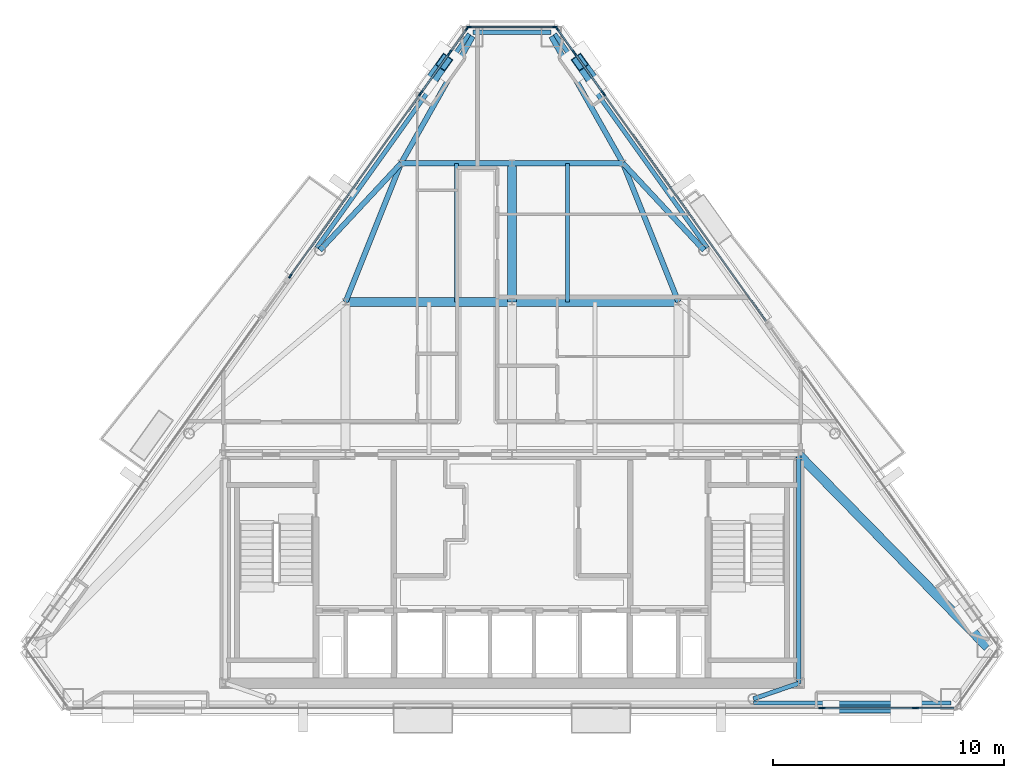
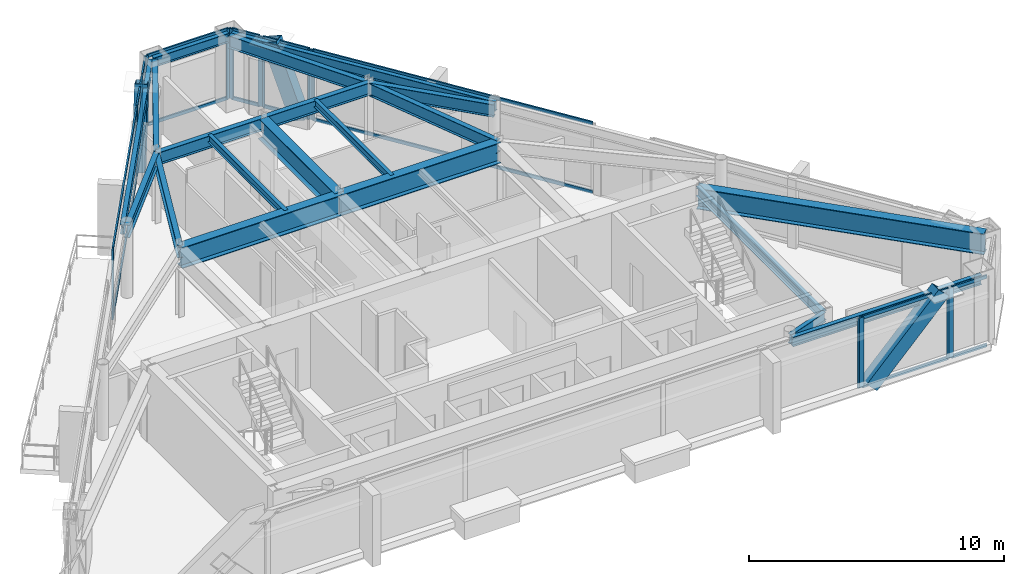
# One storey, part 5 of 12: 38 members, 20 beams, 10 elements without a shape of their own.
"""IFC4 building model written with IfcOpenShell, lengths in metres."""

from ifc_helpers import new_model, si_unit, direction, frame, origin, origin_2d, place, context, subcontext, project, spatial, rectangle, hollow_rectangle, i_section, extrude, material, layer, layer_set, material_profile, profile_set, type_object, element, aggregate, save


model = new_model("IFC4")

# Units and contexts
model_context = context("Model", 3, precision=1e-05, world=origin(), true_north=direction((0.0, 1.0)))
body_context = subcontext(model_context, "Body", "Model", "MODEL_VIEW")
ifc_project = project(units=[si_unit("LENGTHUNIT", "METRE"), si_unit("AREAUNIT", "SQUARE_METRE"), si_unit("VOLUMEUNIT", "CUBIC_METRE"), si_unit("PLANEANGLEUNIT", "RADIAN"), si_unit("MASSUNIT", "GRAM", prefix="KILO")], contexts=[model_context])

# Site, building, storey
site_placement = place(None, origin())
site = spatial("IfcSite", under=ifc_project, at=site_placement, CompositionType="ELEMENT")
building_placement = place(site_placement, origin())
building = spatial("IfcBuilding", under=site, at=building_placement, Name="Talgorran Terracotta Tower", CompositionType="ELEMENT")
storey_placement = place(building_placement, frame((0.0, 0.0, 277.800048828125)))
storey = spatial("IfcBuildingStorey", under=building, at=storey_placement, Name="L73", CompositionType="ELEMENT", Elevation=277.800048828125)

# Beams
ifc_material_1 = material(Name="Steel Grade 350 (350L0)", Category="steel")
ifc_material_profile_1 = material_profile(ifc_material_1, i_section(OverallWidth=0.39990234375, OverallDepth=1.0, WebThickness=0.01611328125, FlangeThickness=0.031005859375, at=origin_2d()), Name="1000WB296")
ifc_profile_set_1 = profile_set([ifc_material_profile_1], Name="Steel Grade 350 (350L0)")
beam_type_1 = type_object("IfcBeamType", Name="BM_1000WB296", PredefinedType="BEAM", material=ifc_profile_set_1)
for number, where, z_axis, x_axis, name in (
    (1, (-7.199951171875, 2.39990234375, 2.844970703125), (1.0, 0.0, 0.0), (0.0, 1.0, 0.0), "L73 Floor Girder G04"),
    (2, (0.0, 2.39990234375, 2.844970703125), (1.0, 0.0, 0.0), (0.0, 1.0, 0.0), "L73 Floor Girder G05"),
):
    element("IfcBeam", number, at=place(storey_placement, frame(where, z_axis=z_axis, x_axis=x_axis)), inside=storey, type_object=beam_type_1, Name=name, PredefinedType="BEAM", context=body_context, shape_type="SweptSolid", body=[
        extrude(i_section(OverallWidth=0.39990234375, OverallDepth=1.0, WebThickness=0.01611328125, FlangeThickness=0.031005859375, at=origin_2d()), origin(), (0.0, 0.0, 1.0), 7.199951171875),
    ])
beam_1_placement = place(storey_placement, frame((0.0, 2.39990234375, 2.844970703125), z_axis=(0.0, 1.0, 0.0), x_axis=(-1.0, 0.0, 0.0)))
element("IfcBeam", 3, at=beam_1_placement, inside=storey, type_object=beam_type_1, Name="L73 Floor Girder G09", PredefinedType="BEAM", context=body_context, shape_type="SweptSolid", body=[
    extrude(i_section(OverallWidth=0.39990234375, OverallDepth=1.0, WebThickness=0.01611328125, FlangeThickness=0.031005859375, at=origin_2d()), origin(), (0.0, 0.0, 1.0), 6.0),
])
beam_2_placement = place(storey_placement, frame((12.39990234375, -4.199951171875, 2.844970703125), z_axis=(0.700061173466, -0.714082875726, 0.0), x_axis=(0.714082875726, 0.700061173466, 0.0)))
element("IfcBeam", 4, at=beam_2_placement, inside=storey, type_object=beam_type_1, Name="L73 Floor Girder G18", PredefinedType="BEAM", context=body_context, shape_type="SweptSolid", body=[
    extrude(i_section(OverallWidth=0.39990234375, OverallDepth=1.0, WebThickness=0.01611328125, FlangeThickness=0.031005859375, at=origin_2d()), origin(), (0.0, 0.0, 1.0), 11.68310546875),
])
ifc_material_2 = material(Name="Steel S355 (300PLUS)", Category="steel")
ifc_material_profile_2 = material_profile(ifc_material_2, i_section(OverallWidth=0.22802734375, OverallDepth=0.60205078125, WebThickness=0.010498046875, FlangeThickness=0.014892578125, at=origin_2d()), Name="610UB101")
ifc_profile_set_2 = profile_set([ifc_material_profile_2], Name="Steel S355 (300PLUS)")
beam_type_2 = type_object("IfcBeamType", Name="BM_610UB101", PredefinedType="BEAM", material=ifc_profile_set_2)
for number, where, z_axis, x_axis, name in (
    (5, (-7.199951171875, 2.39990234375, 3.0439453125), (0.371377648723, 0.928481901832, 0.0), (-0.928481901832, 0.371377648723, 0.0), "L73 Floor Girder G08"),
    (6, (7.199951171875, 2.39990234375, 3.0439453125), (-0.371377648723, 0.928481901832, 0.0), (-0.928481901832, -0.371377648723, 0.0), "L73 Floor Girder G10"),
):
    element("IfcBeam", number, at=place(storey_placement, frame(where, z_axis=z_axis, x_axis=x_axis)), inside=storey, type_object=beam_type_2, Name=name, PredefinedType="BEAM", context=body_context, shape_type="SweptSolid", body=[
        extrude(i_section(OverallWidth=0.22802734375, OverallDepth=0.60205078125, WebThickness=0.010498046875, FlangeThickness=0.014892578125, at=origin_2d()), origin(), (0.0, 0.0, 1.0), 6.462158203125),
    ])
for number, where, z_axis, x_axis, name in (
    (7, (-4.800048828125, 8.39990234375, 3.0439453125), (1.0, 0.0, 0.0), (0.0, 1.0, 0.0), "L73 Floor Girder G11"),
    (8, (0.0, 8.39990234375, 3.0439453125), (1.0, 0.0, 0.0), (0.0, 1.0, 0.0), "L73 Floor Girder G12"),
):
    element("IfcBeam", number, at=place(storey_placement, frame(where, z_axis=z_axis, x_axis=x_axis)), inside=storey, type_object=beam_type_2, Name=name, PredefinedType="BEAM", context=body_context, shape_type="SweptSolid", body=[
        extrude(i_section(OverallWidth=0.22802734375, OverallDepth=0.60205078125, WebThickness=0.010498046875, FlangeThickness=0.014892578125, at=origin_2d()), origin(), (0.0, 0.0, 1.0), 4.800048828125),
    ])
for number, where, z_axis, x_axis, name in (
    (9, (-4.800048828125, 8.39990234375, 3.0439453125), (-0.681815691215, -0.731524000435, 0.0), (0.731524000435, -0.681815691215, 0.0), "L73 Floor Girder G13"),
    (10, (4.800048828125, 8.39990234375, 3.0439453125), (0.681815691215, -0.731524000435, 0.0), (0.731524000435, 0.681815691215, 0.0), "L73 Floor Girder G14"),
):
    element("IfcBeam", number, at=place(storey_placement, frame(where, z_axis=z_axis, x_axis=x_axis)), inside=storey, type_object=beam_type_2, Name=name, PredefinedType="BEAM", context=body_context, shape_type="SweptSolid", body=[
        extrude(i_section(OverallWidth=0.22802734375, OverallDepth=0.60205078125, WebThickness=0.010498046875, FlangeThickness=0.014892578125, at=origin_2d()), origin(), (0.0, 0.0, 1.0), 5.142333984375),
    ])
for number, where, z_axis, x_axis, name in (
    (11, (-4.800048828125, 8.39990234375, 3.0439453125), (0.491971771533, 0.870611150867, 0.0), (-0.870611150867, 0.491971771533, 0.0), "L73 Floor Girder G15"),
    (12, (4.800048828125, 8.39990234375, 3.0439453125), (-0.491971771533, 0.870611150867, 0.0), (-0.870611150867, -0.491971771533, 0.0), "L73 Floor Girder G16"),
):
    element("IfcBeam", number, at=place(storey_placement, frame(where, z_axis=z_axis, x_axis=x_axis)), inside=storey, type_object=beam_type_2, Name=name, PredefinedType="BEAM", context=body_context, shape_type="SweptSolid", body=[
        extrude(i_section(OverallWidth=0.22802734375, OverallDepth=0.60205078125, WebThickness=0.010498046875, FlangeThickness=0.014892578125, at=origin_2d()), origin(), (0.0, 0.0, 1.0), 6.305419921875),
    ])
ifc_material_profile_3 = material_profile(ifc_material_2, i_section(OverallWidth=0.17138671875, OverallDepth=0.355712890625, WebThickness=0.00732421875, FlangeThickness=0.011474609375, at=origin_2d()), Name="360UB50.7")
ifc_profile_set_3 = profile_set([ifc_material_profile_3], Name="Steel S355 (300PLUS)")
beam_type_3 = type_object("IfcBeamType", Name="BM_JS_360UB51", PredefinedType="JOIST", material=ifc_profile_set_3)
for number, where, z_axis, x_axis, name in (
    (13, (-2.39990234375, 2.39990234375, 3.167236328125), (0.0, 1.0, 0.0), (-1.0, 0.0, 0.0), "L73 Secondary Joist J03"),
    (14, (2.39990234375, 2.39990234375, 3.167236328125), (0.0, 1.0, 0.0), (-1.0, 0.0, 0.0), "L73 Secondary Joist J04"),
):
    element("IfcBeam", number, at=place(storey_placement, frame(where, z_axis=z_axis, x_axis=x_axis)), inside=storey, type_object=beam_type_3, Name=name, PredefinedType="JOIST", context=body_context, shape_type="SweptSolid", body=[
        extrude(i_section(OverallWidth=0.17138671875, OverallDepth=0.355712890625, WebThickness=0.00732421875, FlangeThickness=0.011474609375, at=origin_2d()), origin(), (0.0, 0.0, 1.0), 6.0),
    ])
ifc_material_profile_4 = material_profile(ifc_material_2, i_section(OverallWidth=0.18994140625, OverallDepth=0.45703125, WebThickness=0.009033203125, FlangeThickness=0.014404296875, at=origin_2d()), Name="460UB74.6")
ifc_profile_set_4 = profile_set([ifc_material_profile_4], Name="Steel S355 (300PLUS)")
beam_type_4 = type_object("IfcBeamType", Name="BM_SP_460UB74", PredefinedType="SPANDREL", material=ifc_profile_set_4)
beam_3_placement = place(storey_placement, frame((10.441650390625, -14.954345703125, 3.116455078125), z_axis=(1.0, 0.0, 0.0), x_axis=(0.0, 1.0, 0.0)))
element("IfcBeam", 15, at=beam_3_placement, inside=storey, type_object=beam_type_4, Name="L73 Perimeter Spandrel Beam FC2-MC3", PredefinedType="SPANDREL", context=body_context, shape_type="SweptSolid", body=[
    extrude(i_section(OverallWidth=0.18994140625, OverallDepth=0.45703125, WebThickness=0.009033203125, FlangeThickness=0.014404296875, at=origin_2d()), origin(), (0.0, 0.0, 1.0), 8.54296875),
])
beam_4_placement = place(storey_placement, frame((8.45263671875, 4.742919921875, 3.116455078125), z_axis=(-0.581246319121, 0.813727667287, 0.0), x_axis=(-0.813727667287, -0.581246319121, 0.0)))
element("IfcBeam", 16, at=beam_4_placement, inside=storey, type_object=beam_type_4, Name="L73 Perimeter Spandrel Beam FC4-MC5", PredefinedType="SPANDREL", context=body_context, shape_type="SweptSolid", body=[
    extrude(i_section(OverallWidth=0.18994140625, OverallDepth=0.45703125, WebThickness=0.009033203125, FlangeThickness=0.014404296875, at=origin_2d()), origin(), (0.0, 0.0, 1.0), 11.368896484375),
])
beam_5_placement = place(storey_placement, frame((1.697998046875, 14.069580078125, 3.116455078125), z_axis=(-1.0, 0.0, 0.0), x_axis=(0.0, -1.0, 0.0)))
element("IfcBeam", 17, at=beam_5_placement, inside=storey, type_object=beam_type_4, Name="L73 Perimeter Spandrel Beam MC5-MC6", PredefinedType="SPANDREL", context=body_context, shape_type="SweptSolid", body=[
    extrude(i_section(OverallWidth=0.18994140625, OverallDepth=0.45703125, WebThickness=0.009033203125, FlangeThickness=0.014404296875, at=origin_2d()), origin(), (0.0, 0.0, 1.0), 3.39599609375),
])
beam_6_placement = place(storey_placement, frame((-1.844482421875, 13.994140625, 3.116455078125), z_axis=(-0.581246319121, -0.813727667287, 0.0), x_axis=(0.813727667287, -0.581246319121, 0.0)))
element("IfcBeam", 18, at=beam_6_placement, inside=storey, type_object=beam_type_4, Name="L73 Perimeter Spandrel Beam MC6-FC5", PredefinedType="SPANDREL", context=body_context, shape_type="SweptSolid", body=[
    extrude(i_section(OverallWidth=0.18994140625, OverallDepth=0.45703125, WebThickness=0.009033203125, FlangeThickness=0.014404296875, at=origin_2d()), origin(), (0.0, 0.0, 1.0), 11.368896484375),
])
beam_7_placement = place(storey_placement, frame((12.39990234375, -14.10009765625, 3.116455078125), z_axis=(-0.945513197236, -0.325583773939, 0.0), x_axis=(0.325583773939, -0.945513197236, 0.0)))
element("IfcBeam", 19, at=beam_7_placement, inside=storey, type_object=beam_type_4, Name="L73 South-East Core Tie Beam", PredefinedType="SPANDREL", context=body_context, shape_type="SweptSolid", body=[
    extrude(i_section(OverallWidth=0.18994140625, OverallDepth=0.45703125, WebThickness=0.009033203125, FlangeThickness=0.014404296875, at=origin_2d()), origin(), (0.0, 0.0, 1.0), 2.071044921875),
])
beam_8_placement = place(storey_placement, frame((12.39990234375, -14.10009765625, 3.116455078125), z_axis=(0.0, 1.0, 0.0), x_axis=(-1.0, 0.0, 0.0)))
element("IfcBeam", 20, at=beam_8_placement, inside=storey, type_object=beam_type_4, Name="L73 Core Frame Beam CFE", PredefinedType="SPANDREL", context=body_context, shape_type="SweptSolid", body=[
    extrude(i_section(OverallWidth=0.18994140625, OverallDepth=0.45703125, WebThickness=0.009033203125, FlangeThickness=0.014404296875, at=origin_2d()), origin(), (0.0, 0.0, 1.0), 9.900146484375),
])

# Members
ifc_material_profile_5 = material_profile(ifc_material_1, hollow_rectangle(XDim=0.52001953125, YDim=0.659912109375, WallThickness=0.034912109375, at=origin_2d()), Name="WBOX660X520X35")
ifc_profile_set_5 = profile_set([ifc_material_profile_5], Name="Steel Grade 350 (350L0)")
member_type_1 = type_object("IfcMemberType", Name="MB_MEGA_660", PredefinedType="BRACE", material=ifc_profile_set_5)
member_1_placement = place(storey_placement, frame((13.802490234375, -15.134521484375, -0.025146484375), z_axis=(0.6924843103, 0.0, 0.721432935198), x_axis=(0.0, 1.0, 0.0)))
element("IfcMember", 21, at=member_1_placement, inside=storey, type_object=member_type_1, Name="L73 Exterior Face Mega-Brace MB-3 (SEF)", PredefinedType="BRACE", context=body_context, shape_type="SweptSolid", body=[
    extrude(hollow_rectangle(XDim=0.52001953125, YDim=0.659912109375, WallThickness=0.034912109375, at=origin_2d()), origin(), (0.0, 0.0, 1.0), 4.7060546875),
])
for number, where, z_axis, x_axis, name in (
    (22, (3.643798828125, 11.78466796875, -0.025146484375), (-0.196291068878, 0.274807496429, 0.941249518558), (-0.813733471207, -0.581238193719, 0.0), "L73 Exterior Face Mega-Brace MB-3 (NEU)"),
    (23, (-3.643798828125, 11.78466796875, -0.025146484375), (0.196291068878, 0.274807496429, 0.941249518558), (-0.813733471207, 0.581238193719, 0.0), "L73 Exterior Face Mega-Brace MB-3 (NWU)"),
):
    element("IfcMember", number, at=place(storey_placement, frame(where, z_axis=z_axis, x_axis=x_axis)), inside=storey, type_object=member_type_1, Name=name, PredefinedType="BRACE", context=body_context, shape_type="SweptSolid", body=[
        extrude(hollow_rectangle(XDim=0.52001953125, YDim=0.659912109375, WallThickness=0.034912109375, at=origin_2d()), origin(), (0.0, 0.0, 1.0), 3.60693359375),
    ])

# Curtain wall, member
ifc_material_3 = material(Name="High-Wind Unitised Glazing", Category="glass")
ifc_layer = layer(ifc_material_3, 0.2099609375, Name="CW_SYS3_RES_HIGH")
ifc_layer_set = layer_set([ifc_layer], Name="High-Wind Unitised Glazing")
curtain_wall_type = type_object("IfcCurtainWallType", Name="CW_SYS3_RES_HIGH", PredefinedType="NOTDEFINED", material=ifc_layer_set)
curtain_wall_1_placement = place(storey_placement, origin())
curtain_wall_1 = element("IfcCurtainWall", 24, at=curtain_wall_1_placement, inside=storey, type_object=curtain_wall_type, Name="CW-L73-F1C", PredefinedType="NOTDEFINED")
ifc_material_4 = material(Name="Architectural Aluminium 6063-T6", Category="aluminium")
ifc_material_profile_6 = material_profile(ifc_material_4, rectangle(XDim=0.070068359375, YDim=0.199951171875, at=origin_2d()), Name="CWM70X200")
ifc_profile_set_6 = profile_set([ifc_material_profile_6], Name="Architectural Aluminium 6063-T6")
member_type_2 = type_object("IfcMemberType", Name="MUL_70X200", PredefinedType="MULLION", material=ifc_profile_set_6)
member_2_placement = place(storey_placement, frame((13.374267578125, -15.17431640625, 0.0), z_axis=(0.0, 0.0, 1.0), x_axis=(0.0, 1.0, 0.0)))
member_2 = element("IfcMember", 25, at=member_2_placement, type_object=member_type_2, Name="CW-L73-1C mullion 4", PredefinedType="MULLION", context=body_context, shape_type="SweptSolid", body=[
    extrude(rectangle(XDim=0.070068359375, YDim=0.199951171875, at=origin_2d()), origin(), (0.0, 0.0, 1.0), 3.344970703125),
])
aggregate(curtain_wall_1, [member_2])

# Curtain wall, members
curtain_wall_2_placement = place(storey_placement, origin())
curtain_wall_2 = element("IfcCurtainWall", 26, at=curtain_wall_2_placement, inside=storey, type_object=curtain_wall_type, Name="CW-L73-F1D", PredefinedType="NOTDEFINED")
member_3_placement = place(storey_placement, frame((13.454345703125, -15.17431640625, 0.0), z_axis=(0.0, 0.0, 1.0), x_axis=(0.0, 1.0, 0.0)))
member_3 = element("IfcMember", 27, at=member_3_placement, type_object=member_type_2, Name="CW-L73-1D mullion 1", PredefinedType="MULLION", context=body_context, shape_type="SweptSolid", body=[
    extrude(rectangle(XDim=0.070068359375, YDim=0.199951171875, at=origin_2d()), origin(), (0.0, 0.0, 1.0), 3.344970703125),
])
member_4_placement = place(storey_placement, frame((17.409423828125, -15.17431640625, 0.0), z_axis=(0.0, 0.0, 1.0), x_axis=(0.0, 1.0, 0.0)))
member_4 = element("IfcMember", 28, at=member_4_placement, type_object=member_type_2, Name="CW-L73-1D mullion 2", PredefinedType="MULLION", context=body_context, shape_type="SweptSolid", body=[
    extrude(rectangle(XDim=0.070068359375, YDim=0.199951171875, at=origin_2d()), origin(), (0.0, 0.0, 1.0), 3.344970703125),
])

# Curtain wall, member
curtain_wall_3_placement = place(storey_placement, origin())
curtain_wall_3 = element("IfcCurtainWall", 29, at=curtain_wall_3_placement, inside=storey, type_object=curtain_wall_type, Name="CW-L73-F1E", PredefinedType="NOTDEFINED")
member_5_placement = place(storey_placement, frame((17.489501953125, -15.17431640625, 0.0), z_axis=(0.0, 0.0, 1.0), x_axis=(0.0, 1.0, 0.0)))
member_5 = element("IfcMember", 30, at=member_5_placement, type_object=member_type_2, Name="CW-L73-1E mullion 1", PredefinedType="MULLION", context=body_context, shape_type="SweptSolid", body=[
    extrude(rectangle(XDim=0.070068359375, YDim=0.199951171875, at=origin_2d()), origin(), (0.0, 0.0, 1.0), 3.344970703125),
])

curtain_wall_4_placement = place(storey_placement, origin())
curtain_wall_4 = element("IfcCurtainWall", 31, at=curtain_wall_4_placement, inside=storey, type_object=curtain_wall_type, Name="CW-L73-F41", PredefinedType="NOTDEFINED")
member_6_placement = place(storey_placement, frame((3.967529296875, 11.400634765625, 0.0), z_axis=(0.0, 0.0, 1.0), x_axis=(-0.813729030957, -0.581244410019, 0.0)))
member_6 = element("IfcMember", 32, at=member_6_placement, type_object=member_type_2, Name="CW-L73-41 mullion 2", PredefinedType="MULLION", context=body_context, shape_type="SweptSolid", body=[
    extrude(rectangle(XDim=0.070068359375, YDim=0.199951171875, at=origin_2d()), origin(), (0.0, 0.0, 1.0), 3.344970703125),
])

# Curtain wall, members
curtain_wall_5_placement = place(storey_placement, origin())
curtain_wall_5 = element("IfcCurtainWall", 33, at=curtain_wall_5_placement, inside=storey, type_object=curtain_wall_type, Name="CW-L73-F41B", PredefinedType="NOTDEFINED")
member_7_placement = place(storey_placement, frame((3.9208984375, 11.465576171875, 0.0), z_axis=(0.0, 0.0, 1.0), x_axis=(-0.813714433127, -0.581264846108, 0.0)))
member_7 = element("IfcMember", 34, at=member_7_placement, type_object=member_type_2, Name="CW-L73-41B mullion 1", PredefinedType="MULLION", context=body_context, shape_type="SweptSolid", body=[
    extrude(rectangle(XDim=0.070068359375, YDim=0.199951171875, at=origin_2d()), origin(), (0.0, 0.0, 1.0), 3.344970703125),
])
member_8_placement = place(storey_placement, frame((2.723876953125, 13.141357421875, 0.0), z_axis=(0.0, 0.0, 1.0), x_axis=(-0.813714433127, -0.581264846108, 0.0)))
member_8 = element("IfcMember", 35, at=member_8_placement, type_object=member_type_2, Name="CW-L73-41B mullion 2", PredefinedType="MULLION", context=body_context, shape_type="SweptSolid", body=[
    extrude(rectangle(XDim=0.070068359375, YDim=0.199951171875, at=origin_2d()), origin(), (0.0, 0.0, 1.0), 3.344970703125),
])

curtain_wall_6_placement = place(storey_placement, origin())
curtain_wall_6 = element("IfcCurtainWall", 36, at=curtain_wall_6_placement, inside=storey, type_object=curtain_wall_type, Name="CW-L73-F41C", PredefinedType="NOTDEFINED")
member_9_placement = place(storey_placement, frame((2.67724609375, 13.20654296875, 0.0), z_axis=(0.0, 0.0, 1.0), x_axis=(-0.813738566849, -0.581231059754, 0.0)))
member_9 = element("IfcMember", 37, at=member_9_placement, type_object=member_type_2, Name="CW-L73-41C mullion 1", PredefinedType="MULLION", context=body_context, shape_type="SweptSolid", body=[
    extrude(rectangle(XDim=0.070068359375, YDim=0.199951171875, at=origin_2d()), origin(), (0.0, 0.0, 1.0), 3.344970703125),
])
member_10_placement = place(storey_placement, frame((1.947265625, 14.228515625, 0.0), z_axis=(0.0, 0.0, 1.0), x_axis=(-0.813738566849, -0.581231059754, 0.0)))
member_10 = element("IfcMember", 38, at=member_10_placement, type_object=member_type_2, Name="CW-L73-41C mullion 2", PredefinedType="MULLION", context=body_context, shape_type="SweptSolid", body=[
    extrude(rectangle(XDim=0.070068359375, YDim=0.199951171875, at=origin_2d()), origin(), (0.0, 0.0, 1.0), 3.344970703125),
])

curtain_wall_7_placement = place(storey_placement, origin())
curtain_wall_7 = element("IfcCurtainWall", 39, at=curtain_wall_7_placement, inside=storey, type_object=curtain_wall_type, Name="CW-L73-F4", PredefinedType="NOTDEFINED")
member_11_placement = place(storey_placement, frame((1.86865234375, 14.28955078125, 0.0), z_axis=(0.0, 0.0, 1.0), x_axis=(0.0, -1.0, 0.0)))
member_11 = element("IfcMember", 40, at=member_11_placement, type_object=member_type_2, Name="CW-L73-4 mullion 1", PredefinedType="MULLION", context=body_context, shape_type="SweptSolid", body=[
    extrude(rectangle(XDim=0.070068359375, YDim=0.199951171875, at=origin_2d()), origin(), (0.0, 0.0, 1.0), 3.344970703125),
])
member_12_placement = place(storey_placement, frame((-1.86865234375, 14.28955078125, 0.0), z_axis=(0.0, 0.0, 1.0), x_axis=(0.0, -1.0, 0.0)))
member_12 = element("IfcMember", 41, at=member_12_placement, type_object=member_type_2, Name="CW-L73-4 mullion 2", PredefinedType="MULLION", context=body_context, shape_type="SweptSolid", body=[
    extrude(rectangle(XDim=0.070068359375, YDim=0.199951171875, at=origin_2d()), origin(), (0.0, 0.0, 1.0), 3.344970703125),
])

curtain_wall_8_placement = place(storey_placement, origin())
curtain_wall_8 = element("IfcCurtainWall", 42, at=curtain_wall_8_placement, inside=storey, type_object=curtain_wall_type, Name="CW-L73-F60", PredefinedType="NOTDEFINED")
member_13_placement = place(storey_placement, frame((-1.947265625, 14.228515625, 0.0), z_axis=(0.0, 0.0, 1.0), x_axis=(0.813738566849, -0.581231059754, 0.0)))
member_13 = element("IfcMember", 43, at=member_13_placement, type_object=member_type_2, Name="CW-L73-60 mullion 1", PredefinedType="MULLION", context=body_context, shape_type="SweptSolid", body=[
    extrude(rectangle(XDim=0.070068359375, YDim=0.199951171875, at=origin_2d()), origin(), (0.0, 0.0, 1.0), 3.344970703125),
])
member_14_placement = place(storey_placement, frame((-2.67724609375, 13.20654296875, 0.0), z_axis=(0.0, 0.0, 1.0), x_axis=(0.813738566849, -0.581231059754, 0.0)))
member_14 = element("IfcMember", 44, at=member_14_placement, type_object=member_type_2, Name="CW-L73-60 mullion 2", PredefinedType="MULLION", context=body_context, shape_type="SweptSolid", body=[
    extrude(rectangle(XDim=0.070068359375, YDim=0.199951171875, at=origin_2d()), origin(), (0.0, 0.0, 1.0), 3.344970703125),
])

curtain_wall_9_placement = place(storey_placement, origin())
curtain_wall_9 = element("IfcCurtainWall", 45, at=curtain_wall_9_placement, inside=storey, type_object=curtain_wall_type, Name="CW-L73-F60B", PredefinedType="NOTDEFINED")
member_15_placement = place(storey_placement, frame((-2.723876953125, 13.141357421875, 0.0), z_axis=(0.0, 0.0, 1.0), x_axis=(0.813714433127, -0.581264846108, 0.0)))
member_15 = element("IfcMember", 46, at=member_15_placement, type_object=member_type_2, Name="CW-L73-60B mullion 1", PredefinedType="MULLION", context=body_context, shape_type="SweptSolid", body=[
    extrude(rectangle(XDim=0.070068359375, YDim=0.199951171875, at=origin_2d()), origin(), (0.0, 0.0, 1.0), 3.344970703125),
])
member_16_placement = place(storey_placement, frame((-3.9208984375, 11.465576171875, 0.0), z_axis=(0.0, 0.0, 1.0), x_axis=(0.813714433127, -0.581264846108, 0.0)))
member_16 = element("IfcMember", 47, at=member_16_placement, type_object=member_type_2, Name="CW-L73-60B mullion 2", PredefinedType="MULLION", context=body_context, shape_type="SweptSolid", body=[
    extrude(rectangle(XDim=0.070068359375, YDim=0.199951171875, at=origin_2d()), origin(), (0.0, 0.0, 1.0), 3.344970703125),
])

curtain_wall_10_placement = place(storey_placement, origin())
curtain_wall_10 = element("IfcCurtainWall", 48, at=curtain_wall_10_placement, inside=storey, type_object=curtain_wall_type, Name="CW-L73-F60C", PredefinedType="NOTDEFINED")
member_17_placement = place(storey_placement, frame((-3.967529296875, 11.400634765625, 0.0), z_axis=(0.0, 0.0, 1.0), x_axis=(0.813731393411, -0.581241102622, 0.0)))
member_17 = element("IfcMember", 49, at=member_17_placement, type_object=member_type_2, Name="CW-L73-60C mullion 1", PredefinedType="MULLION", context=body_context, shape_type="SweptSolid", body=[
    extrude(rectangle(XDim=0.070068359375, YDim=0.199951171875, at=origin_2d()), origin(), (0.0, 0.0, 1.0), 3.344970703125),
])
member_18_placement = place(storey_placement, frame((-9.59716796875, 3.51904296875, 0.0), z_axis=(0.0, 0.0, 1.0), x_axis=(0.813731393411, -0.581241102622, 0.0)))
member_18 = element("IfcMember", 50, at=member_18_placement, type_object=member_type_2, Name="CW-L73-60C mullion 2", PredefinedType="MULLION", context=body_context, shape_type="SweptSolid", body=[
    extrude(rectangle(XDim=0.070068359375, YDim=0.199951171875, at=origin_2d()), origin(), (0.0, 0.0, 1.0), 3.344970703125),
])

# Member
ifc_material_profile_7 = material_profile(ifc_material_4, rectangle(XDim=0.070068359375, YDim=0.159912109375, at=origin_2d()), Name="CWT70X160")
ifc_profile_set_7 = profile_set([ifc_material_profile_7], Name="Architectural Aluminium 6063-T6")
member_type_3 = type_object("IfcMemberType", Name="TRN_70X160", PredefinedType="USERDEFINED", material=ifc_profile_set_7)
member_19_placement = place(storey_placement, frame((13.4892578125, -15.17431640625, 0.034912109375), z_axis=(1.0, 0.0, 0.0), x_axis=(0.0, 1.0, 0.0)))
member_19 = element("IfcMember", 51, at=member_19_placement, type_object=member_type_3, Name="CW-L73-1D transom 1.1", ObjectType="TRANSOM", PredefinedType="USERDEFINED", context=body_context, shape_type="SweptSolid", body=[
    extrude(rectangle(XDim=0.070068359375, YDim=0.159912109375, at=origin_2d()), origin(), (0.0, 0.0, 1.0), 3.88525390625),
])

member_20_placement = place(storey_placement, frame((13.4892578125, -15.17431640625, 3.31005859375), z_axis=(1.0, 0.0, 0.0), x_axis=(0.0, 1.0, 0.0)))
member_20 = element("IfcMember", 52, at=member_20_placement, type_object=member_type_3, Name="CW-L73-1D transom 1.2", ObjectType="TRANSOM", PredefinedType="USERDEFINED", context=body_context, shape_type="SweptSolid", body=[
    extrude(rectangle(XDim=0.070068359375, YDim=0.159912109375, at=origin_2d()), origin(), (0.0, 0.0, 1.0), 3.88525390625),
])

aggregate(curtain_wall_2, [member_3, member_4, member_19, member_20])

member_21_placement = place(storey_placement, frame((17.5244140625, -15.17431640625, 0.034912109375), z_axis=(1.0, 0.0, 0.0), x_axis=(0.0, 1.0, 0.0)))
member_21 = element("IfcMember", 53, at=member_21_placement, type_object=member_type_3, Name="CW-L73-1E transom 1.1", ObjectType="TRANSOM", PredefinedType="USERDEFINED", context=body_context, shape_type="SweptSolid", body=[
    extrude(rectangle(XDim=0.070068359375, YDim=0.159912109375, at=origin_2d()), origin(), (0.0, 0.0, 1.0), 1.59619140625),
])

member_22_placement = place(storey_placement, frame((17.5244140625, -15.17431640625, 3.31005859375), z_axis=(1.0, 0.0, 0.0), x_axis=(0.0, 1.0, 0.0)))
member_22 = element("IfcMember", 54, at=member_22_placement, type_object=member_type_3, Name="CW-L73-1E transom 1.2", ObjectType="TRANSOM", PredefinedType="USERDEFINED", context=body_context, shape_type="SweptSolid", body=[
    extrude(rectangle(XDim=0.070068359375, YDim=0.159912109375, at=origin_2d()), origin(), (0.0, 0.0, 1.0), 1.59619140625),
])

aggregate(curtain_wall_3, [member_5, member_21, member_22])

member_23_placement = place(storey_placement, frame((10.982421875, 1.579833984375, 0.034912109375), z_axis=(-0.581247789298, 0.813726617136, 0.0), x_axis=(-0.813726617136, -0.581247789298, 0.0)))
member_23 = element("IfcMember", 55, at=member_23_placement, type_object=member_type_3, Name="CW-L73-41 transom 1.1", ObjectType="TRANSOM", PredefinedType="USERDEFINED", context=body_context, shape_type="SweptSolid", body=[
    extrude(rectangle(XDim=0.070068359375, YDim=0.159912109375, at=origin_2d()), origin(), (0.0, 0.0, 1.0), 12.033935546875),
])

member_24_placement = place(storey_placement, frame((10.982421875, 1.579833984375, 3.31005859375), z_axis=(-0.581247789298, 0.813726617136, 0.0), x_axis=(-0.813726617136, -0.581247789298, 0.0)))
member_24 = element("IfcMember", 56, at=member_24_placement, type_object=member_type_3, Name="CW-L73-41 transom 1.2", ObjectType="TRANSOM", PredefinedType="USERDEFINED", context=body_context, shape_type="SweptSolid", body=[
    extrude(rectangle(XDim=0.070068359375, YDim=0.159912109375, at=origin_2d()), origin(), (0.0, 0.0, 1.0), 12.033935546875),
])

aggregate(curtain_wall_4, [member_6, member_23, member_24])

member_25_placement = place(storey_placement, frame((3.900634765625, 11.494140625, 0.034912109375), z_axis=(-0.581284624171, 0.813700304598, 0.0), x_axis=(-0.813700304598, -0.581284624171, 0.0)))
member_25 = element("IfcMember", 57, at=member_25_placement, type_object=member_type_3, Name="CW-L73-41B transom 1.1", ObjectType="TRANSOM", PredefinedType="USERDEFINED", context=body_context, shape_type="SweptSolid", body=[
    extrude(rectangle(XDim=0.070068359375, YDim=0.159912109375, at=origin_2d()), origin(), (0.0, 0.0, 1.0), 1.989501953125),
])

member_26_placement = place(storey_placement, frame((3.900634765625, 11.494140625, 3.31005859375), z_axis=(-0.581284624171, 0.813700304598, 0.0), x_axis=(-0.813700304598, -0.581284624171, 0.0)))
member_26 = element("IfcMember", 58, at=member_26_placement, type_object=member_type_3, Name="CW-L73-41B transom 1.2", ObjectType="TRANSOM", PredefinedType="USERDEFINED", context=body_context, shape_type="SweptSolid", body=[
    extrude(rectangle(XDim=0.070068359375, YDim=0.159912109375, at=origin_2d()), origin(), (0.0, 0.0, 1.0), 1.989501953125),
])

aggregate(curtain_wall_5, [member_7, member_8, member_25, member_26])

member_27_placement = place(storey_placement, frame((2.656982421875, 13.23486328125, 0.034912109375), z_axis=(-0.581160295735, 0.813789106993, 0.0), x_axis=(-0.813789106993, -0.581160295735, 0.0)))
member_27 = element("IfcMember", 59, at=member_27_placement, type_object=member_type_3, Name="CW-L73-41C transom 1.1", ObjectType="TRANSOM", PredefinedType="USERDEFINED", context=body_context, shape_type="SweptSolid", body=[
    extrude(rectangle(XDim=0.070068359375, YDim=0.159912109375, at=origin_2d()), origin(), (0.0, 0.0, 1.0), 1.18603515625),
])

member_28_placement = place(storey_placement, frame((2.656982421875, 13.23486328125, 3.31005859375), z_axis=(-0.581160295735, 0.813789106993, 0.0), x_axis=(-0.813789106993, -0.581160295735, 0.0)))
member_28 = element("IfcMember", 60, at=member_28_placement, type_object=member_type_3, Name="CW-L73-41C transom 1.2", ObjectType="TRANSOM", PredefinedType="USERDEFINED", context=body_context, shape_type="SweptSolid", body=[
    extrude(rectangle(XDim=0.070068359375, YDim=0.159912109375, at=origin_2d()), origin(), (0.0, 0.0, 1.0), 1.18603515625),
])

aggregate(curtain_wall_6, [member_9, member_10, member_27, member_28])

member_29_placement = place(storey_placement, frame((1.833740234375, 14.28955078125, 0.034912109375), z_axis=(-1.0, 0.0, 0.0), x_axis=(0.0, -1.0, 0.0)))
member_29 = element("IfcMember", 61, at=member_29_placement, type_object=member_type_3, Name="CW-L73-4 transom 1.1", ObjectType="TRANSOM", PredefinedType="USERDEFINED", context=body_context, shape_type="SweptSolid", body=[
    extrude(rectangle(XDim=0.070068359375, YDim=0.159912109375, at=origin_2d()), origin(), (0.0, 0.0, 1.0), 3.66748046875),
])

member_30_placement = place(storey_placement, frame((1.833740234375, 14.28955078125, 3.31005859375), z_axis=(-1.0, 0.0, 0.0), x_axis=(0.0, -1.0, 0.0)))
member_30 = element("IfcMember", 62, at=member_30_placement, type_object=member_type_3, Name="CW-L73-4 transom 1.2", ObjectType="TRANSOM", PredefinedType="USERDEFINED", context=body_context, shape_type="SweptSolid", body=[
    extrude(rectangle(XDim=0.070068359375, YDim=0.159912109375, at=origin_2d()), origin(), (0.0, 0.0, 1.0), 3.66748046875),
])

aggregate(curtain_wall_7, [member_11, member_12, member_29, member_30])

member_31_placement = place(storey_placement, frame((-1.9677734375, 14.199951171875, 0.034912109375), z_axis=(-0.581160295735, -0.813789106993, 0.0), x_axis=(0.813789106993, -0.581160295735, 0.0)))
member_31 = element("IfcMember", 63, at=member_31_placement, type_object=member_type_3, Name="CW-L73-60 transom 1.1", ObjectType="TRANSOM", PredefinedType="USERDEFINED", context=body_context, shape_type="SweptSolid", body=[
    extrude(rectangle(XDim=0.070068359375, YDim=0.159912109375, at=origin_2d()), origin(), (0.0, 0.0, 1.0), 1.18603515625),
])

member_32_placement = place(storey_placement, frame((-1.9677734375, 14.199951171875, 3.31005859375), z_axis=(-0.581160295735, -0.813789106993, 0.0), x_axis=(0.813789106993, -0.581160295735, 0.0)))
member_32 = element("IfcMember", 64, at=member_32_placement, type_object=member_type_3, Name="CW-L73-60 transom 1.2", ObjectType="TRANSOM", PredefinedType="USERDEFINED", context=body_context, shape_type="SweptSolid", body=[
    extrude(rectangle(XDim=0.070068359375, YDim=0.159912109375, at=origin_2d()), origin(), (0.0, 0.0, 1.0), 1.18603515625),
])

aggregate(curtain_wall_8, [member_13, member_14, member_31, member_32])

member_33_placement = place(storey_placement, frame((-2.744140625, 13.113037109375, 0.034912109375), z_axis=(-0.581284624171, -0.813700304598, 0.0), x_axis=(0.813700304598, -0.581284624171, 0.0)))
member_33 = element("IfcMember", 65, at=member_33_placement, type_object=member_type_3, Name="CW-L73-60B transom 1.1", ObjectType="TRANSOM", PredefinedType="USERDEFINED", context=body_context, shape_type="SweptSolid", body=[
    extrude(rectangle(XDim=0.070068359375, YDim=0.159912109375, at=origin_2d()), origin(), (0.0, 0.0, 1.0), 1.989501953125),
])

member_34_placement = place(storey_placement, frame((-2.744140625, 13.113037109375, 3.31005859375), z_axis=(-0.581284624171, -0.813700304598, 0.0), x_axis=(0.813700304598, -0.581284624171, 0.0)))
member_34 = element("IfcMember", 66, at=member_34_placement, type_object=member_type_3, Name="CW-L73-60B transom 1.2", ObjectType="TRANSOM", PredefinedType="USERDEFINED", context=body_context, shape_type="SweptSolid", body=[
    extrude(rectangle(XDim=0.070068359375, YDim=0.159912109375, at=origin_2d()), origin(), (0.0, 0.0, 1.0), 1.989501953125),
])

aggregate(curtain_wall_9, [member_15, member_16, member_33, member_34])

member_35_placement = place(storey_placement, frame((-3.98779296875, 11.3720703125, 0.034912109375), z_axis=(-0.581240595421, -0.8137317557, 0.0), x_axis=(0.8137317557, -0.581240595421, 0.0)))
member_35 = element("IfcMember", 67, at=member_35_placement, type_object=member_type_3, Name="CW-L73-60C transom 1.1", ObjectType="TRANSOM", PredefinedType="USERDEFINED", context=body_context, shape_type="SweptSolid", body=[
    extrude(rectangle(XDim=0.070068359375, YDim=0.159912109375, at=origin_2d()), origin(), (0.0, 0.0, 1.0), 9.61572265625),
])

member_36_placement = place(storey_placement, frame((-3.98779296875, 11.3720703125, 3.31005859375), z_axis=(-0.581240595421, -0.8137317557, 0.0), x_axis=(0.8137317557, -0.581240595421, 0.0)))
member_36 = element("IfcMember", 68, at=member_36_placement, type_object=member_type_3, Name="CW-L73-60C transom 1.2", ObjectType="TRANSOM", PredefinedType="USERDEFINED", context=body_context, shape_type="SweptSolid", body=[
    extrude(rectangle(XDim=0.070068359375, YDim=0.159912109375, at=origin_2d()), origin(), (0.0, 0.0, 1.0), 9.61572265625),
])

aggregate(curtain_wall_10, [member_17, member_18, member_35, member_36])

save(model, "model.ifc")
